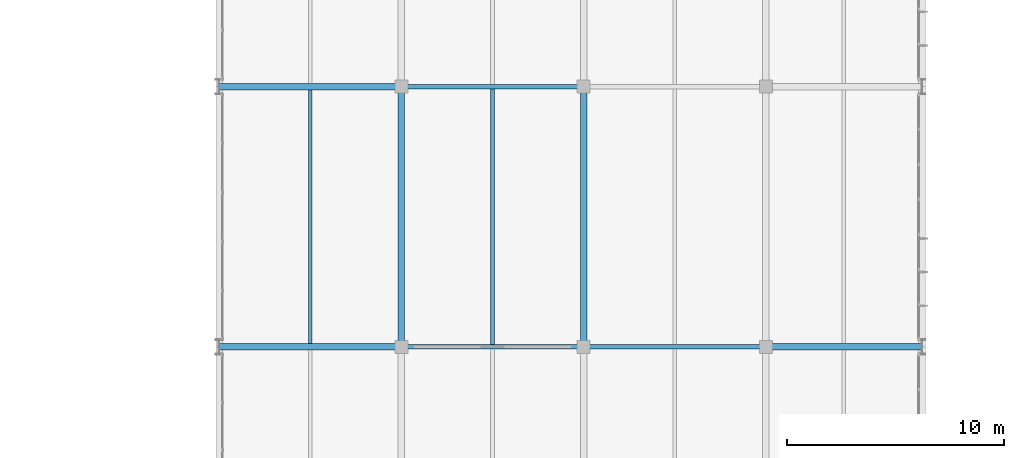
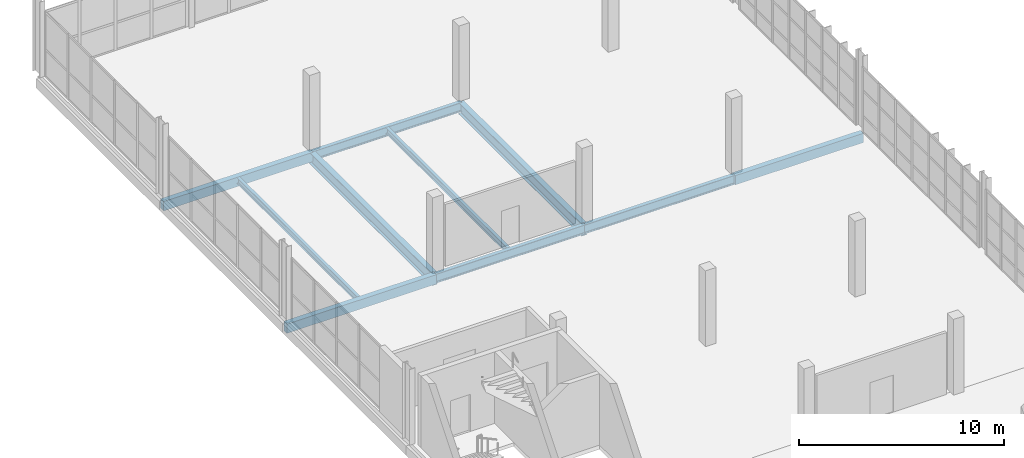
# One storey, part 77 of 113: 10 beams.
"""IFC4 building model written with IfcOpenShell, lengths in metres."""

from ifc_helpers import new_model, si_unit, direction, frame, origin, origin_2d, place, context, subcontext, project, spatial, rectangle, i_section, extrude, material, material_profile, profile_set, type_object, element, save


model = new_model("IFC4")

# Units and contexts
model_context = context("Model", 3, precision=1e-05, world=origin(), true_north=direction((0.0, 1.0)))
body_context = subcontext(model_context, "Body", "Model", "MODEL_VIEW")
ifc_project = project(units=[si_unit("LENGTHUNIT", "METRE"), si_unit("AREAUNIT", "SQUARE_METRE"), si_unit("VOLUMEUNIT", "CUBIC_METRE"), si_unit("PLANEANGLEUNIT", "RADIAN"), si_unit("MASSUNIT", "GRAM", prefix="KILO")], contexts=[model_context])

# Site, building, storey
site_placement = place(None, origin())
site = spatial("IfcSite", under=ifc_project, at=site_placement, CompositionType="ELEMENT")
building_placement = place(site_placement, origin())
building = spatial("IfcBuilding", under=site, at=building_placement, Name="Veltarok Museum of Natural Sciences", CompositionType="ELEMENT")
storey_placement = place(building_placement, frame((0.0, 0.0, 8.39990234375)))
storey = spatial("IfcBuildingStorey", under=building, at=storey_placement, Name="L01", CompositionType="ELEMENT", Elevation=8.39990234375)

# Beams
ifc_material_1 = material(Name="Steel S355J2", Category="steel")
ifc_material_profile_1 = material_profile(ifc_material_1, i_section(OverallWidth=0.2099609375, OverallDepth=0.550048828125, WebThickness=0.010986328125, FlangeThickness=0.01708984375, FilletRadius=0.02392578125, at=origin_2d()), Name="IPE 550")
ifc_profile_set_1 = profile_set([ifc_material_profile_1], Name="Steel S355J2")
beam_type_1 = type_object("IfcBeamType", Name="Archive Heavy Girder IPE 550", PredefinedType="BEAM", material=ifc_profile_set_1)
beam_1_placement = place(storey_placement, frame((140.800048828125, 48.0, -0.52490234375), z_axis=(1.0, 0.0, 0.0), x_axis=(0.0, 1.0, 0.0)))
element("IfcBeam", 1, at=beam_1_placement, inside=storey, type_object=beam_type_1, Name="Beam BM-G03 L01 17-18/F", PredefinedType="BEAM", context=body_context, shape_type="SweptSolid", body=[
    extrude(i_section(OverallWidth=0.2099609375, OverallDepth=0.550048828125, WebThickness=0.010986328125, FlangeThickness=0.01708984375, FilletRadius=0.02392578125, at=origin_2d()), origin(), (0.0, 0.0, 1.0), 8.39990234375),
])
beam_2_placement = place(storey_placement, frame((149.199951171875, 48.0, -0.52490234375), z_axis=(1.0, 0.0, 0.0), x_axis=(0.0, 1.0, 0.0)))
element("IfcBeam", 2, at=beam_2_placement, inside=storey, type_object=beam_type_1, Name="Beam BM-G03 L01 18-19/F", PredefinedType="BEAM", context=body_context, shape_type="SweptSolid", body=[
    extrude(i_section(OverallWidth=0.2099609375, OverallDepth=0.550048828125, WebThickness=0.010986328125, FlangeThickness=0.01708984375, FilletRadius=0.02392578125, at=origin_2d()), origin(), (0.0, 0.0, 1.0), 8.400146484375),
])
beam_3_placement = place(storey_placement, frame((140.800048828125, 60.0, -0.52490234375), z_axis=(1.0, 0.0, 0.0), x_axis=(0.0, 1.0, 0.0)))
element("IfcBeam", 3, at=beam_3_placement, inside=storey, type_object=beam_type_1, Name="Beam BM-G03 L01 17-18/G", PredefinedType="BEAM", context=body_context, shape_type="SweptSolid", body=[
    extrude(i_section(OverallWidth=0.2099609375, OverallDepth=0.550048828125, WebThickness=0.010986328125, FlangeThickness=0.01708984375, FilletRadius=0.02392578125, at=origin_2d()), origin(), (0.0, 0.0, 1.0), 8.39990234375),
])
ifc_material_2 = material(Name="Precast concrete C40/50", Category="concrete")
ifc_material_profile_2 = material_profile(ifc_material_2, rectangle(XDim=0.300048828125, YDim=0.550048828125, at=origin_2d()), Name="RC 300x550")
ifc_profile_set_2 = profile_set([ifc_material_profile_2], Name="Precast concrete C40/50")
beam_type_2 = type_object("IfcBeamType", Name="East Wing Precast Spandrel RC 300x550", PredefinedType="SPANDREL", material=ifc_profile_set_2)
beam_4_placement = place(storey_placement, frame((132.39990234375, 48.0, -0.52490234375), z_axis=(1.0, 0.0, 0.0), x_axis=(0.0, 1.0, 0.0)))
element("IfcBeam", 4, at=beam_4_placement, inside=storey, type_object=beam_type_2, Name="Beam BM-SP02 L01 16-17/F", PredefinedType="SPANDREL", context=body_context, shape_type="SweptSolid", body=[
    extrude(rectangle(XDim=0.300048828125, YDim=0.550048828125, at=origin_2d()), origin(), (0.0, 0.0, 1.0), 8.400146484375),
])
beam_5_placement = place(storey_placement, frame((157.60009765625, 48.0, -0.52490234375), z_axis=(1.0, 0.0, 0.0), x_axis=(0.0, 1.0, 0.0)))
element("IfcBeam", 5, at=beam_5_placement, inside=storey, type_object=beam_type_2, Name="Beam BM-SP02 L01 19-20/F", PredefinedType="SPANDREL", context=body_context, shape_type="SweptSolid", body=[
    extrude(rectangle(XDim=0.300048828125, YDim=0.550048828125, at=origin_2d()), origin(), (0.0, 0.0, 1.0), 7.199951171875),
])
beam_6_placement = place(storey_placement, frame((132.39990234375, 60.0, -0.52490234375), z_axis=(1.0, 0.0, 0.0), x_axis=(0.0, 1.0, 0.0)))
element("IfcBeam", 6, at=beam_6_placement, inside=storey, type_object=beam_type_2, Name="Beam BM-SP02 L01 16-17/G", PredefinedType="SPANDREL", context=body_context, shape_type="SweptSolid", body=[
    extrude(rectangle(XDim=0.300048828125, YDim=0.550048828125, at=origin_2d()), origin(), (0.0, 0.0, 1.0), 8.400146484375),
])
ifc_material_profile_3 = material_profile(ifc_material_1, i_section(OverallWidth=0.169921875, OverallDepth=0.360107421875, WebThickness=0.008056640625, FlangeThickness=0.0126953125, FilletRadius=0.01806640625, at=origin_2d()), Name="IPE 360")
ifc_profile_set_3 = profile_set([ifc_material_profile_3], Name="Steel S355J2")
beam_type_3 = type_object("IfcBeamType", Name="Long-Bay Composite Joist IPE 360", PredefinedType="JOIST", material=ifc_profile_set_3)
beam_7_placement = place(storey_placement, frame((136.60009765625, 48.14794921875, -0.429931640625), z_axis=(0.0, 1.0, 0.0), x_axis=(-1.0, 0.0, 0.0)))
element("IfcBeam", 7, at=beam_7_placement, inside=storey, type_object=beam_type_3, Name="Secondary Joist BM-J01 L01 16-17/F-G.1", PredefinedType="JOIST", context=body_context, shape_type="SweptSolid", body=[
    extrude(i_section(OverallWidth=0.169921875, OverallDepth=0.360107421875, WebThickness=0.008056640625, FlangeThickness=0.0126953125, FilletRadius=0.01806640625, at=origin_2d()), origin(), (0.0, 0.0, 1.0), 11.7041015625),
])
beam_8_placement = place(storey_placement, frame((145.0, 48.10302734375, -0.429931640625), z_axis=(0.0, 1.0, 0.0), x_axis=(-1.0, 0.0, 0.0)))
element("IfcBeam", 8, at=beam_8_placement, inside=storey, type_object=beam_type_3, Name="Secondary Joist BM-J01 L01 17-18/F-G.1", PredefinedType="JOIST", context=body_context, shape_type="SweptSolid", body=[
    extrude(i_section(OverallWidth=0.169921875, OverallDepth=0.360107421875, WebThickness=0.008056640625, FlangeThickness=0.0126953125, FilletRadius=0.01806640625, at=origin_2d()), origin(), (0.0, 0.0, 1.0), 11.7939453125),
])
ifc_material_profile_4 = material_profile(ifc_material_1, i_section(OverallWidth=0.300048828125, OverallDepth=0.699951171875, WebThickness=0.01708984375, FlangeThickness=0.031982421875, FilletRadius=0.027099609375, at=origin_2d()), Name="HEB 700")
ifc_profile_set_4 = profile_set([ifc_material_profile_4], Name="Steel S355J2")
beam_type_4 = type_object("IfcBeamType", Name="Long-Span Hall Girder HEB 700", PredefinedType="BEAM", material=ifc_profile_set_4)
for number, where, z_axis, x_axis, name in (
    (9, (140.800048828125, 48.0, -0.599853515625), (0.0, 1.0, 0.0), (-1.0, 0.0, 0.0), "Beam BM-G01 L01 17/F-G"),
    (10, (149.199951171875, 48.0, -0.599853515625), (0.0, 1.0, 0.0), (-1.0, 0.0, 0.0), "Beam BM-G01 L01 18/F-G"),
):
    element("IfcBeam", number, at=place(storey_placement, frame(where, z_axis=z_axis, x_axis=x_axis)), inside=storey, type_object=beam_type_4, Name=name, PredefinedType="BEAM", context=body_context, shape_type="SweptSolid", body=[
        extrude(i_section(OverallWidth=0.300048828125, OverallDepth=0.699951171875, WebThickness=0.01708984375, FlangeThickness=0.031982421875, FilletRadius=0.027099609375, at=origin_2d()), origin(), (0.0, 0.0, 1.0), 12.0),
    ])

save(model, "model.ifc")
